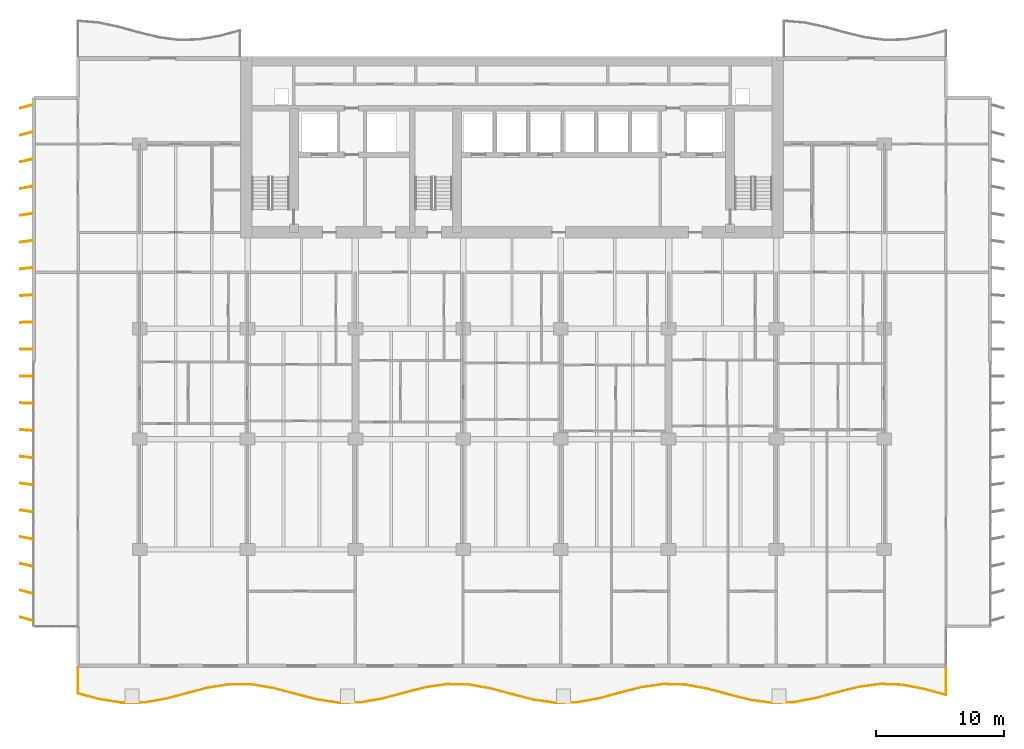
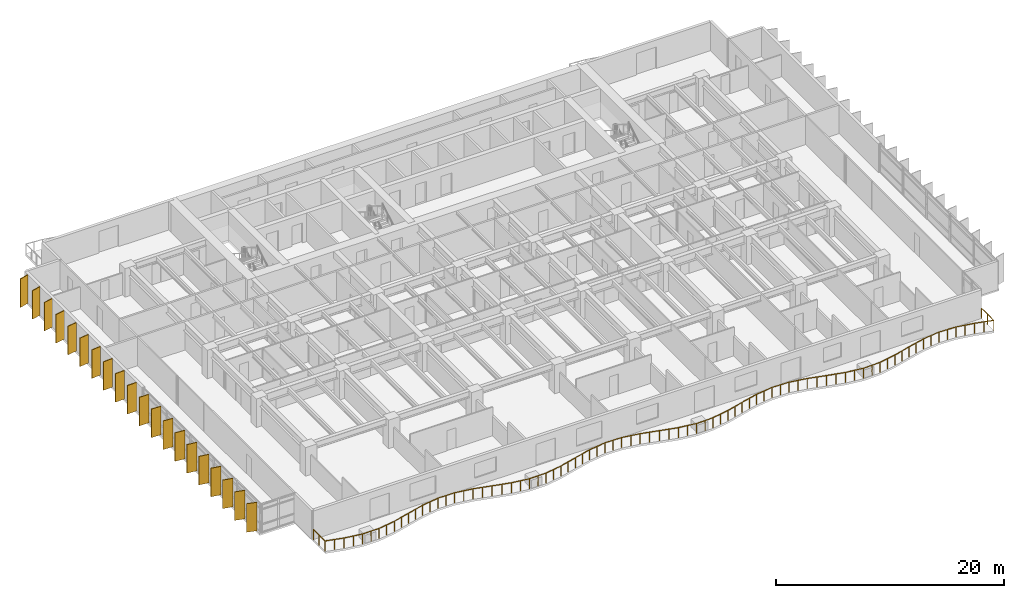
# One storey, part 14 of 17: 20 shading devices, 1 railing.
"""IFC4 building model written with IfcOpenShell, lengths in metres."""

from ifc_helpers import new_model, si_unit, direction, frame, origin, origin_2d, place, context, subcontext, project, spatial, rectangle, circle, extrude, material, material_profile, profile_set, type_object, element, save


model = new_model("IFC4")

# Units and contexts
model_context = context("Model", 3, precision=1e-05, world=origin(), true_north=direction((0.0, 1.0)))
body_context = subcontext(model_context, "Body", "Model", "MODEL_VIEW")
ifc_project = project(units=[si_unit("LENGTHUNIT", "METRE"), si_unit("AREAUNIT", "SQUARE_METRE"), si_unit("VOLUMEUNIT", "CUBIC_METRE"), si_unit("PLANEANGLEUNIT", "RADIAN"), si_unit("MASSUNIT", "GRAM", prefix="KILO")], contexts=[model_context])

# Site, building, storey
site_placement = place(None, origin())
site = spatial("IfcSite", under=ifc_project, at=site_placement, CompositionType="ELEMENT")
building_placement = place(site_placement, origin())
building = spatial("IfcBuilding", under=site, at=building_placement, Name="Caelmar Bay Residences", CompositionType="ELEMENT")
storey_placement = place(building_placement, frame((0.0, 0.0, 63.0)))
storey = spatial("IfcBuildingStorey", under=building, at=storey_placement, Name="L16", CompositionType="ELEMENT", Elevation=63.0)

# Railing
ifc_material_1 = material(Name="Anodised bronze handrail with laminated hurricane glass infill", Category="glass")
railing_type = type_object("IfcRailingType", Name="RL-BAL-1100", PredefinedType="BALUSTRADE", material=ifc_material_1)
railing_placement = place(storey_placement, frame((5.10009765625, 3.0, 0.0)))
element("IfcRailing", 1, at=railing_placement, inside=storey, type_object=railing_type, Name="L16 south Balcony Balustrade", PredefinedType="BALUSTRADE", context=body_context, shape_type="SweptSolid", body=[
    extrude(circle(Radius=0.02392578125, at=origin_2d()), frame((0.0, 0.0, 1.076171875), z_axis=(0.0, -1.0, 0.0), x_axis=(1.0, 0.0, 0.0)), (0.0, 0.0, 1.0), 2.02001953125),
    extrude(circle(Radius=0.02392578125, at=origin_2d()), frame((0.0, -2.02001953125, 1.076171875), z_axis=(0.9673004227, -0.253633381566, 0.0), x_axis=(0.253633381566, 0.9673004227, 0.0)), (0.0, 0.0, 1.0), 1.7470703125),
    extrude(circle(Radius=0.02392578125, at=origin_2d()), frame((1.68994140625, -2.463134765625, 1.076171875), z_axis=(0.987296031473, -0.158891617894, 0.0), x_axis=(0.158891617894, 0.987296031473, 0.0)), (0.0, 0.0, 1.0), 1.711669921875),
    extrude(circle(Radius=0.02392578125, at=origin_2d()), frame((3.3798828125, -2.735107421875, 1.076171875), z_axis=(0.999996618965, 0.002600395715, 0.0), x_axis=(-0.002600395715, 0.999996618965, 0.0)), (0.0, 0.0, 1.0), 1.68994140625),
    extrude(circle(Radius=0.02392578125, at=origin_2d()), frame((5.06982421875, -2.730712890625, 1.076171875), z_axis=(0.986643147145, 0.162896593556, 0.0), x_axis=(-0.162896593556, 0.986643147145, 0.0)), (0.0, 0.0, 1.0), 1.713134765625),
    extrude(circle(Radius=0.02392578125, at=origin_2d()), frame((6.760009765625, -2.45166015625, 1.076171875), z_axis=(0.966956816591, 0.254940218185, 0.0), x_axis=(-0.254940218185, 0.966956816591, 0.0)), (0.0, 0.0, 1.0), 1.747802734375),
    extrude(circle(Radius=0.02392578125, at=origin_2d()), frame((8.449951171875, -2.006103515625, 1.076171875), z_axis=(0.967676628528, 0.252194255687, 0.0), x_axis=(-0.252194255687, 0.967676628528, 0.0)), (0.0, 0.0, 1.0), 1.746337890625),
    extrude(circle(Radius=0.02392578125, at=origin_2d()), frame((10.139892578125, -1.565673828125, 1.076171875), z_axis=(0.9879370861, 0.154855784227, 0.0), x_axis=(-0.154855784227, 0.9879370861, 0.0)), (0.0, 0.0, 1.0), 1.710693359375),
    extrude(circle(Radius=0.02392578125, at=origin_2d()), frame((11.829833984375, -1.30078125, 1.076171875), z_axis=(0.999969580712, -0.007799849395, 0.0), x_axis=(0.007799849395, 0.999969580712, 0.0)), (0.0, 0.0, 1.0), 1.690185546875),
    extrude(circle(Radius=0.02392578125, at=origin_2d()), frame((13.52001953125, -1.31396484375, 1.076171875), z_axis=(0.985990618152, -0.166800782123, 0.0), x_axis=(0.166800782123, 0.985990618152, 0.0)), (0.0, 0.0, 1.0), 1.7138671875),
    extrude(circle(Radius=0.02392578125, at=origin_2d()), frame((15.2099609375, -1.599853515625, 1.076171875), z_axis=(0.966577095615, -0.256376126488, 0.0), x_axis=(0.256376126488, 0.966577095615, 0.0)), (0.0, 0.0, 1.0), 1.748291015625),
    extrude(circle(Radius=0.02392578125, at=origin_2d()), frame((16.89990234375, -2.048095703125, 1.076171875), z_axis=(0.968118847571, -0.250491311182, 0.0), x_axis=(0.250491311182, 0.968118847571, 0.0)), (0.0, 0.0, 1.0), 1.74560546875),
    extrude(circle(Radius=0.02392578125, at=origin_2d()), frame((18.58984375, -2.4853515625, 1.076171875), z_axis=(0.988583716221, -0.15067261205, 0.0), x_axis=(0.15067261205, 0.988583716221, 0.0)), (0.0, 0.0, 1.0), 1.70947265625),
    extrude(circle(Radius=0.02392578125, at=origin_2d()), frame((20.27978515625, -2.742919921875, 1.076171875), z_axis=(0.999917375751, 0.012854636204, 0.0), x_axis=(-0.012854636204, 0.999917375751, 0.0)), (0.0, 0.0, 1.0), 1.6904296875),
    extrude(circle(Radius=0.02392578125, at=origin_2d()), frame((21.969970703125, -2.72119140625, 1.076171875), z_axis=(0.985327496445, 0.17067432364, 0.0), x_axis=(-0.17067432364, 0.985327496445, 0.0)), (0.0, 0.0, 1.0), 1.715087890625),
    extrude(circle(Radius=0.02392578125, at=origin_2d()), frame((23.659912109375, -2.428466796875, 1.076171875), z_axis=(0.966230305808, 0.257680026657, 0.0), x_axis=(-0.257680026657, 0.966230305808, 0.0)), (0.0, 0.0, 1.0), 1.7490234375),
    extrude(circle(Radius=0.02392578125, at=origin_2d()), frame((25.349853515625, -1.977783203125, 1.076171875), z_axis=(0.968558468622, 0.248786038314, 0.0), x_axis=(-0.248786038314, 0.968558468622, 0.0)), (0.0, 0.0, 1.0), 1.744873046875),
    extrude(circle(Radius=0.02392578125, at=origin_2d()), frame((27.039794921875, -1.543701171875, 1.076171875), z_axis=(0.989216500601, 0.146460625901, 0.0), x_axis=(-0.146460625901, 0.989216500601, 0.0)), (0.0, 0.0, 1.0), 1.70849609375),
    extrude(circle(Radius=0.02392578125, at=origin_2d()), frame((28.72998046875, -1.29345703125, 1.076171875), z_axis=(0.999836987602, -0.018055420897, 0.0), x_axis=(0.018055420897, 0.999836987602, 0.0)), (0.0, 0.0, 1.0), 1.690185546875),
    extrude(circle(Radius=0.02392578125, at=origin_2d()), frame((30.419921875, -1.323974609375, 1.076171875), z_axis=(0.984674527906, -0.174402047271, 0.0), x_axis=(0.174402047271, 0.984674527906, 0.0)), (0.0, 0.0, 1.0), 1.71630859375),
    extrude(circle(Radius=0.02392578125, at=origin_2d()), frame((32.10986328125, -1.623291015625, 1.076171875), z_axis=(0.965951788185, -0.258722134541, 0.0), x_axis=(0.258722134541, 0.965951788185, 0.0)), (0.0, 0.0, 1.0), 1.74951171875),
    extrude(circle(Radius=0.02392578125, at=origin_2d()), frame((33.7998046875, -2.075927734375, 1.076171875), z_axis=(0.968970509617, -0.247176357068, 0.0), x_axis=(0.247176357068, 0.968970509617, 0.0)), (0.0, 0.0, 1.0), 1.744384765625),
    extrude(circle(Radius=0.02392578125, at=origin_2d()), frame((35.489990234375, -2.507080078125, 1.076171875), z_axis=(0.989826141841, -0.142282145497, 0.0), x_axis=(0.142282145497, 0.989826141841, 0.0)), (0.0, 0.0, 1.0), 1.707275390625),
    extrude(circle(Radius=0.02392578125, at=origin_2d()), frame((37.179931640625, -2.75, 1.076171875), z_axis=(0.999729615122, 0.02325288472, 0.0), x_axis=(-0.02325288472, 0.999729615122, 0.0)), (0.0, 0.0, 1.0), 1.6904296875),
    extrude(circle(Radius=0.02392578125, at=origin_2d()), frame((38.869873046875, -2.710693359375, 1.076171875), z_axis=(0.984008359062, 0.178122287475, 0.0), x_axis=(-0.178122287475, 0.984008359062, 0.0)), (0.0, 0.0, 1.0), 1.71728515625),
    extrude(circle(Radius=0.02392578125, at=origin_2d()), frame((40.559814453125, -2.40478515625, 1.076171875), z_axis=(0.965646726702, 0.259858421471, 0.0), x_axis=(-0.259858421471, 0.965646726702, 0.0)), (0.0, 0.0, 1.0), 1.750244140625),
    extrude(circle(Radius=0.02392578125, at=origin_2d()), frame((42.25, -1.949951171875, 1.076171875), z_axis=(0.969429869882, 0.24536855418, 0.0), x_axis=(-0.24536855418, 0.969429869882, 0.0)), (0.0, 0.0, 1.0), 1.7431640625),
    extrude(circle(Radius=0.02392578125, at=origin_2d()), frame((43.93994140625, -1.522216796875, 1.076171875), z_axis=(0.990460834972, 0.13779453685, 0.0), x_axis=(-0.13779453685, 0.990460834972, 0.0)), (0.0, 0.0, 1.0), 1.706298828125),
    extrude(circle(Radius=0.02392578125, at=origin_2d()), frame((45.6298828125, -1.287109375, 1.076171875), z_axis=(0.999603432028, -0.028159877094, 0.0), x_axis=(0.028159877094, 0.999603432028, 0.0)), (0.0, 0.0, 1.0), 1.690673828125),
    extrude(circle(Radius=0.02392578125, at=origin_2d()), frame((47.31982421875, -1.334716796875, 1.076171875), z_axis=(0.98330836722, -0.181946846513, 0.0), x_axis=(0.181946846513, 0.98330836722, 0.0)), (0.0, 0.0, 1.0), 1.718994140625),
    extrude(circle(Radius=0.02392578125, at=origin_2d()), frame((49.010009765625, -1.6474609375, 1.076171875), z_axis=(0.965391869343, -0.260803639941, 0.0), x_axis=(0.260803639941, 0.965391869343, 0.0)), (0.0, 0.0, 1.0), 1.75048828125),
    extrude(circle(Radius=0.02392578125, at=origin_2d()), frame((50.699951171875, -2.10400390625, 1.076171875), z_axis=(0.969927816453, -0.243392750243, 0.0), x_axis=(0.243392750243, 0.969927816453, 0.0)), (0.0, 0.0, 1.0), 1.742431640625),
    extrude(circle(Radius=0.02392578125, at=origin_2d()), frame((52.389892578125, -2.528076171875, 1.076171875), z_axis=(0.991038076884, -0.133579677222, 0.0), x_axis=(0.133579677222, 0.991038076884, 0.0)), (0.0, 0.0, 1.0), 1.705322265625),
    extrude(circle(Radius=0.02392578125, at=origin_2d()), frame((54.079833984375, -2.755859375, 1.076171875), z_axis=(0.999438962736, 0.03349268227, 0.0), x_axis=(-0.03349268227, 0.999438962736, 0.0)), (0.0, 0.0, 1.0), 1.691162109375),
    extrude(circle(Radius=0.02392578125, at=origin_2d()), frame((55.77001953125, -2.69921875, 1.076171875), z_axis=(0.982662629756, 0.185402686284, 0.0), x_axis=(-0.185402686284, 0.982662629756, 0.0)), (0.0, 0.0, 1.0), 1.7197265625),
    extrude(circle(Radius=0.02392578125, at=origin_2d()), frame((57.4599609375, -2.38037109375, 1.076171875), z_axis=(0.965145700367, 0.261713157987, 0.0), x_axis=(-0.261713157987, 0.965145700367, 0.0)), (0.0, 0.0, 1.0), 1.7509765625),
    extrude(circle(Radius=0.02392578125, at=origin_2d()), frame((59.14990234375, -1.922119140625, 1.076171875), z_axis=(0.970422239668, 0.241413911689, 0.0), x_axis=(-0.241413911689, 0.970422239668, 0.0)), (0.0, 0.0, 1.0), 1.741455078125),
    extrude(circle(Radius=0.02392578125, at=origin_2d()), frame((60.83984375, -1.501708984375, 1.076171875), z_axis=(0.9916163801, 0.129216696742, 0.0), x_axis=(-0.129216696742, 0.9916163801, 0.0)), (0.0, 0.0, 1.0), 1.704345703125),
    extrude(circle(Radius=0.02392578125, at=origin_2d()), frame((62.52978515625, -1.281494140625, 1.076171875), z_axis=(0.999257118215, -0.038538444397, 0.0), x_axis=(0.038538444397, 0.999257118215, 0.0)), (0.0, 0.0, 1.0), 1.69140625),
    extrude(circle(Radius=0.02392578125, at=origin_2d()), frame((64.219970703125, -1.3466796875, 1.076171875), z_axis=(0.981957846028, -0.189099943478, 0.0), x_axis=(0.189099943478, 0.981957846028, 0.0)), (0.0, 0.0, 1.0), 1.720947265625),
    extrude(circle(Radius=0.02392578125, at=origin_2d()), frame((65.909912109375, -1.672119140625, 1.076171875), z_axis=(0.964934116904, -0.262492190426, 0.0), x_axis=(0.262492190426, 0.964934116904, 0.0)), (0.0, 0.0, 1.0), 1.75146484375),
    extrude(circle(Radius=0.02392578125, at=origin_2d()), frame((67.599853515625, -2.1318359375, 1.076171875), z_axis=(0.0, 1.0, 0.0), x_axis=(-1.0, 0.0, 0.0)), (0.0, 0.0, 1.0), 2.1318359375),
    extrude(circle(Radius=0.02099609375, at=origin_2d()), origin(), (0.0, 0.0, 1.0), 1.052001953125),
    extrude(circle(Radius=0.02099609375, at=origin_2d()), frame((0.0, -1.010009765625, 0.0)), (0.0, 0.0, 1.0), 1.052001953125),
    extrude(circle(Radius=0.02099609375, at=origin_2d()), frame((0.0, -2.02001953125, 0.0)), (0.0, 0.0, 1.0), 1.052001953125),
    extrude(circle(Radius=0.02099609375, at=origin_2d()), frame((0.844970703125, -2.24169921875, 0.0)), (0.0, 0.0, 1.0), 1.052001953125),
    extrude(circle(Radius=0.02099609375, at=origin_2d()), frame((1.68994140625, -2.463134765625, 0.0)), (0.0, 0.0, 1.0), 1.052001953125),
    extrude(circle(Radius=0.02099609375, at=origin_2d()), frame((2.534912109375, -2.59912109375, 0.0)), (0.0, 0.0, 1.0), 1.052001953125),
    extrude(circle(Radius=0.02099609375, at=origin_2d()), frame((3.3798828125, -2.735107421875, 0.0)), (0.0, 0.0, 1.0), 1.052001953125),
    extrude(circle(Radius=0.02099609375, at=origin_2d()), frame((4.224853515625, -2.73291015625, 0.0)), (0.0, 0.0, 1.0), 1.052001953125),
    extrude(circle(Radius=0.02099609375, at=origin_2d()), frame((5.06982421875, -2.730712890625, 0.0)), (0.0, 0.0, 1.0), 1.052001953125),
    extrude(circle(Radius=0.02099609375, at=origin_2d()), frame((5.9150390625, -2.59130859375, 0.0)), (0.0, 0.0, 1.0), 1.052001953125),
    extrude(circle(Radius=0.02099609375, at=origin_2d()), frame((6.760009765625, -2.45166015625, 0.0)), (0.0, 0.0, 1.0), 1.052001953125),
    extrude(circle(Radius=0.02099609375, at=origin_2d()), frame((7.60498046875, -2.22900390625, 0.0)), (0.0, 0.0, 1.0), 1.052001953125),
    extrude(circle(Radius=0.02099609375, at=origin_2d()), frame((8.449951171875, -2.006103515625, 0.0)), (0.0, 0.0, 1.0), 1.052001953125),
    extrude(circle(Radius=0.02099609375, at=origin_2d()), frame((9.294921875, -1.785888671875, 0.0)), (0.0, 0.0, 1.0), 1.052001953125),
    extrude(circle(Radius=0.02099609375, at=origin_2d()), frame((10.139892578125, -1.565673828125, 0.0)), (0.0, 0.0, 1.0), 1.052001953125),
    extrude(circle(Radius=0.02099609375, at=origin_2d()), frame((10.98486328125, -1.43310546875, 0.0)), (0.0, 0.0, 1.0), 1.052001953125),
    extrude(circle(Radius=0.02099609375, at=origin_2d()), frame((11.829833984375, -1.30078125, 0.0)), (0.0, 0.0, 1.0), 1.052001953125),
    extrude(circle(Radius=0.02099609375, at=origin_2d()), frame((12.6748046875, -1.307373046875, 0.0)), (0.0, 0.0, 1.0), 1.052001953125),
    extrude(circle(Radius=0.02099609375, at=origin_2d()), frame((13.52001953125, -1.31396484375, 0.0)), (0.0, 0.0, 1.0), 1.052001953125),
    extrude(circle(Radius=0.02099609375, at=origin_2d()), frame((14.364990234375, -1.45703125, 0.0)), (0.0, 0.0, 1.0), 1.052001953125),
    extrude(circle(Radius=0.02099609375, at=origin_2d()), frame((15.2099609375, -1.599853515625, 0.0)), (0.0, 0.0, 1.0), 1.052001953125),
    extrude(circle(Radius=0.02099609375, at=origin_2d()), frame((16.054931640625, -1.823974609375, 0.0)), (0.0, 0.0, 1.0), 1.052001953125),
    extrude(circle(Radius=0.02099609375, at=origin_2d()), frame((16.89990234375, -2.048095703125, 0.0)), (0.0, 0.0, 1.0), 1.052001953125),
    extrude(circle(Radius=0.02099609375, at=origin_2d()), frame((17.744873046875, -2.2666015625, 0.0)), (0.0, 0.0, 1.0), 1.052001953125),
    extrude(circle(Radius=0.02099609375, at=origin_2d()), frame((18.58984375, -2.4853515625, 0.0)), (0.0, 0.0, 1.0), 1.052001953125),
    extrude(circle(Radius=0.02099609375, at=origin_2d()), frame((19.434814453125, -2.6142578125, 0.0)), (0.0, 0.0, 1.0), 1.052001953125),
    extrude(circle(Radius=0.02099609375, at=origin_2d()), frame((20.27978515625, -2.742919921875, 0.0)), (0.0, 0.0, 1.0), 1.052001953125),
    extrude(circle(Radius=0.02099609375, at=origin_2d()), frame((21.125, -2.73193359375, 0.0)), (0.0, 0.0, 1.0), 1.052001953125),
    extrude(circle(Radius=0.02099609375, at=origin_2d()), frame((21.969970703125, -2.72119140625, 0.0)), (0.0, 0.0, 1.0), 1.052001953125),
    extrude(circle(Radius=0.02099609375, at=origin_2d()), frame((22.81494140625, -2.57470703125, 0.0)), (0.0, 0.0, 1.0), 1.052001953125),
    extrude(circle(Radius=0.02099609375, at=origin_2d()), frame((23.659912109375, -2.428466796875, 0.0)), (0.0, 0.0, 1.0), 1.052001953125),
    extrude(circle(Radius=0.02099609375, at=origin_2d()), frame((24.5048828125, -2.203125, 0.0)), (0.0, 0.0, 1.0), 1.052001953125),
    extrude(circle(Radius=0.02099609375, at=origin_2d()), frame((25.349853515625, -1.977783203125, 0.0)), (0.0, 0.0, 1.0), 1.052001953125),
    extrude(circle(Radius=0.02099609375, at=origin_2d()), frame((26.19482421875, -1.7607421875, 0.0)), (0.0, 0.0, 1.0), 1.052001953125),
    extrude(circle(Radius=0.02099609375, at=origin_2d()), frame((27.039794921875, -1.543701171875, 0.0)), (0.0, 0.0, 1.0), 1.052001953125),
    extrude(circle(Radius=0.02099609375, at=origin_2d()), frame((27.884765625, -1.41845703125, 0.0)), (0.0, 0.0, 1.0), 1.052001953125),
    extrude(circle(Radius=0.02099609375, at=origin_2d()), frame((28.72998046875, -1.29345703125, 0.0)), (0.0, 0.0, 1.0), 1.052001953125),
    extrude(circle(Radius=0.02099609375, at=origin_2d()), frame((29.574951171875, -1.30859375, 0.0)), (0.0, 0.0, 1.0), 1.052001953125),
    extrude(circle(Radius=0.02099609375, at=origin_2d()), frame((30.419921875, -1.323974609375, 0.0)), (0.0, 0.0, 1.0), 1.052001953125),
    extrude(circle(Radius=0.02099609375, at=origin_2d()), frame((31.264892578125, -1.4736328125, 0.0)), (0.0, 0.0, 1.0), 1.052001953125),
    extrude(circle(Radius=0.02099609375, at=origin_2d()), frame((32.10986328125, -1.623291015625, 0.0)), (0.0, 0.0, 1.0), 1.052001953125),
    extrude(circle(Radius=0.02099609375, at=origin_2d()), frame((32.954833984375, -1.849609375, 0.0)), (0.0, 0.0, 1.0), 1.052001953125),
    extrude(circle(Radius=0.02099609375, at=origin_2d()), frame((33.7998046875, -2.075927734375, 0.0)), (0.0, 0.0, 1.0), 1.052001953125),
    extrude(circle(Radius=0.02099609375, at=origin_2d()), frame((34.64501953125, -2.29150390625, 0.0)), (0.0, 0.0, 1.0), 1.052001953125),
    extrude(circle(Radius=0.02099609375, at=origin_2d()), frame((35.489990234375, -2.507080078125, 0.0)), (0.0, 0.0, 1.0), 1.052001953125),
    extrude(circle(Radius=0.02099609375, at=origin_2d()), frame((36.3349609375, -2.62841796875, 0.0)), (0.0, 0.0, 1.0), 1.052001953125),
    extrude(circle(Radius=0.02099609375, at=origin_2d()), frame((37.179931640625, -2.75, 0.0)), (0.0, 0.0, 1.0), 1.052001953125),
    extrude(circle(Radius=0.02099609375, at=origin_2d()), frame((38.02490234375, -2.73046875, 0.0)), (0.0, 0.0, 1.0), 1.052001953125),
    extrude(circle(Radius=0.02099609375, at=origin_2d()), frame((38.869873046875, -2.710693359375, 0.0)), (0.0, 0.0, 1.0), 1.052001953125),
    extrude(circle(Radius=0.02099609375, at=origin_2d()), frame((39.71484375, -2.5576171875, 0.0)), (0.0, 0.0, 1.0), 1.052001953125),
    extrude(circle(Radius=0.02099609375, at=origin_2d()), frame((40.559814453125, -2.40478515625, 0.0)), (0.0, 0.0, 1.0), 1.052001953125),
    extrude(circle(Radius=0.02099609375, at=origin_2d()), frame((41.40478515625, -2.17724609375, 0.0)), (0.0, 0.0, 1.0), 1.052001953125),
    extrude(circle(Radius=0.02099609375, at=origin_2d()), frame((42.25, -1.949951171875, 0.0)), (0.0, 0.0, 1.0), 1.052001953125),
    extrude(circle(Radius=0.02099609375, at=origin_2d()), frame((43.094970703125, -1.736083984375, 0.0)), (0.0, 0.0, 1.0), 1.052001953125),
    extrude(circle(Radius=0.02099609375, at=origin_2d()), frame((43.93994140625, -1.522216796875, 0.0)), (0.0, 0.0, 1.0), 1.052001953125),
    extrude(circle(Radius=0.02099609375, at=origin_2d()), frame((44.784912109375, -1.40478515625, 0.0)), (0.0, 0.0, 1.0), 1.052001953125),
    extrude(circle(Radius=0.02099609375, at=origin_2d()), frame((45.6298828125, -1.287109375, 0.0)), (0.0, 0.0, 1.0), 1.052001953125),
    extrude(circle(Radius=0.02099609375, at=origin_2d()), frame((46.474853515625, -1.31103515625, 0.0)), (0.0, 0.0, 1.0), 1.052001953125),
    extrude(circle(Radius=0.02099609375, at=origin_2d()), frame((47.31982421875, -1.334716796875, 0.0)), (0.0, 0.0, 1.0), 1.052001953125),
    extrude(circle(Radius=0.02099609375, at=origin_2d()), frame((48.1650390625, -1.4912109375, 0.0)), (0.0, 0.0, 1.0), 1.052001953125),
    extrude(circle(Radius=0.02099609375, at=origin_2d()), frame((49.010009765625, -1.6474609375, 0.0)), (0.0, 0.0, 1.0), 1.052001953125),
    extrude(circle(Radius=0.02099609375, at=origin_2d()), frame((49.85498046875, -1.875732421875, 0.0)), (0.0, 0.0, 1.0), 1.052001953125),
    extrude(circle(Radius=0.02099609375, at=origin_2d()), frame((50.699951171875, -2.10400390625, 0.0)), (0.0, 0.0, 1.0), 1.052001953125),
    extrude(circle(Radius=0.02099609375, at=origin_2d()), frame((51.544921875, -2.31591796875, 0.0)), (0.0, 0.0, 1.0), 1.052001953125),
    extrude(circle(Radius=0.02099609375, at=origin_2d()), frame((52.389892578125, -2.528076171875, 0.0)), (0.0, 0.0, 1.0), 1.052001953125),
    extrude(circle(Radius=0.02099609375, at=origin_2d()), frame((53.23486328125, -2.64208984375, 0.0)), (0.0, 0.0, 1.0), 1.052001953125),
    extrude(circle(Radius=0.02099609375, at=origin_2d()), frame((54.079833984375, -2.755859375, 0.0)), (0.0, 0.0, 1.0), 1.052001953125),
    extrude(circle(Radius=0.02099609375, at=origin_2d()), frame((54.9248046875, -2.7275390625, 0.0)), (0.0, 0.0, 1.0), 1.052001953125),
    extrude(circle(Radius=0.02099609375, at=origin_2d()), frame((55.77001953125, -2.69921875, 0.0)), (0.0, 0.0, 1.0), 1.052001953125),
    extrude(circle(Radius=0.02099609375, at=origin_2d()), frame((56.614990234375, -2.539794921875, 0.0)), (0.0, 0.0, 1.0), 1.052001953125),
    extrude(circle(Radius=0.02099609375, at=origin_2d()), frame((57.4599609375, -2.38037109375, 0.0)), (0.0, 0.0, 1.0), 1.052001953125),
    extrude(circle(Radius=0.02099609375, at=origin_2d()), frame((58.304931640625, -2.1513671875, 0.0)), (0.0, 0.0, 1.0), 1.052001953125),
    extrude(circle(Radius=0.02099609375, at=origin_2d()), frame((59.14990234375, -1.922119140625, 0.0)), (0.0, 0.0, 1.0), 1.052001953125),
    extrude(circle(Radius=0.02099609375, at=origin_2d()), frame((59.994873046875, -1.7119140625, 0.0)), (0.0, 0.0, 1.0), 1.052001953125),
    extrude(circle(Radius=0.02099609375, at=origin_2d()), frame((60.83984375, -1.501708984375, 0.0)), (0.0, 0.0, 1.0), 1.052001953125),
    extrude(circle(Radius=0.02099609375, at=origin_2d()), frame((61.684814453125, -1.3916015625, 0.0)), (0.0, 0.0, 1.0), 1.052001953125),
    extrude(circle(Radius=0.02099609375, at=origin_2d()), frame((62.52978515625, -1.281494140625, 0.0)), (0.0, 0.0, 1.0), 1.052001953125),
    extrude(circle(Radius=0.02099609375, at=origin_2d()), frame((63.375, -1.31396484375, 0.0)), (0.0, 0.0, 1.0), 1.052001953125),
    extrude(circle(Radius=0.02099609375, at=origin_2d()), frame((64.219970703125, -1.3466796875, 0.0)), (0.0, 0.0, 1.0), 1.052001953125),
    extrude(circle(Radius=0.02099609375, at=origin_2d()), frame((65.06494140625, -1.50927734375, 0.0)), (0.0, 0.0, 1.0), 1.052001953125),
    extrude(circle(Radius=0.02099609375, at=origin_2d()), frame((65.909912109375, -1.672119140625, 0.0)), (0.0, 0.0, 1.0), 1.052001953125),
    extrude(circle(Radius=0.02099609375, at=origin_2d()), frame((66.7548828125, -1.90185546875, 0.0)), (0.0, 0.0, 1.0), 1.052001953125),
    extrude(circle(Radius=0.02099609375, at=origin_2d()), frame((67.599853515625, -2.1318359375, 0.0)), (0.0, 0.0, 1.0), 1.052001953125),
    extrude(circle(Radius=0.02099609375, at=origin_2d()), frame((67.599853515625, -1.06591796875, 0.0)), (0.0, 0.0, 1.0), 1.052001953125),
    extrude(circle(Radius=0.02099609375, at=origin_2d()), frame((67.599853515625, 0.0, 0.0)), (0.0, 0.0, 1.0), 1.052001953125),
])

# Shading devices
ifc_material_2 = material(Name="Anodised architectural bronze aluminium 6063-T6", Category="aluminium")
ifc_material_profile = material_profile(ifc_material_2, rectangle(XDim=0.074951171875, YDim=0.949951171875, at=origin_2d()), Name="BRONZE-FIN-75X950")
ifc_profile_set = profile_set([ifc_material_profile], Name="Anodised architectural bronze aluminium 6063-T6")
shading_device_type = type_object("IfcShadingDeviceType", Name="SHD-FIN-950", PredefinedType="USERDEFINED", material=ifc_profile_set)
for number, where, z_axis, x_axis, name in (
    (2, (1.050048828125, 6.800048828125, 0.0), (0.0, 0.0, 1.0), (0.275637355817, 0.961261695938, 0.0), "L16 West Bronze Solar Fin 1"),
    (3, (1.050048828125, 8.89990234375, 0.0), (0.0, 0.0, 1.0), (0.247337247968, 0.968929453452, 0.0), "L16 West Bronze Solar Fin 2"),
    (4, (1.050048828125, 11.0, 0.0), (0.0, 0.0, 1.0), (0.218654200292, 0.975802408633, 0.0), "L16 West Bronze Solar Fin 3"),
    (5, (1.050048828125, 13.10009765625, 0.0), (0.0, 0.0, 1.0), (0.189952291512, 0.981793321911, 0.0), "L16 West Bronze Solar Fin 4"),
    (6, (1.050048828125, 15.199951171875, 0.0), (0.0, 0.0, 1.0), (0.160914826518, 0.986968296657, 0.0), "L16 West Bronze Solar Fin 5"),
    (7, (1.050048828125, 17.300048828125, 0.0), (0.0, 0.0, 1.0), (0.131910382711, 0.991261646052, 0.0), "L16 West Bronze Solar Fin 6"),
    (8, (1.050048828125, 19.39990234375, 0.0), (0.0, 0.0, 1.0), (0.10261892683, 0.994720742649, 0.0), "L16 West Bronze Solar Fin 7"),
    (9, (1.050048828125, 21.5, 0.0), (0.0, 0.0, 1.0), (0.073412260224, 0.997301679558, 0.0), "L16 West Bronze Solar Fin 8"),
    (10, (1.050048828125, 23.60009765625, 0.0), (0.0, 0.0, 1.0), (0.044142481788, 0.999025245578, 0.0), "L16 West Bronze Solar Fin 9"),
    (11, (1.050048828125, 25.699951171875, 0.0), (0.0, 0.0, 1.0), (0.01466024053, 0.999892532899, 0.0), "L16 West Bronze Solar Fin 10"),
    (12, (1.050048828125, 27.800048828125, 0.0), (0.0, 0.0, 1.0), (-0.01466024053, 0.999892532899, 0.0), "L16 West Bronze Solar Fin 11"),
    (13, (1.050048828125, 29.89990234375, 0.0), (0.0, 0.0, 1.0), (-0.044142481788, 0.999025245578, 0.0), "L16 West Bronze Solar Fin 12"),
    (14, (1.050048828125, 32.0, 0.0), (0.0, 0.0, 1.0), (-0.073412260224, 0.997301679558, 0.0), "L16 West Bronze Solar Fin 13"),
    (15, (1.050048828125, 34.10009765625, 0.0), (0.0, 0.0, 1.0), (-0.10261892683, 0.994720742649, 0.0), "L16 West Bronze Solar Fin 14"),
    (16, (1.050048828125, 36.199951171875, 0.0), (0.0, 0.0, 1.0), (-0.131910382711, 0.991261646052, 0.0), "L16 West Bronze Solar Fin 15"),
    (17, (1.050048828125, 38.300048828125, 0.0), (0.0, 0.0, 1.0), (-0.160914826518, 0.986968296657, 0.0), "L16 West Bronze Solar Fin 16"),
    (18, (1.050048828125, 40.39990234375, 0.0), (0.0, 0.0, 1.0), (-0.189952291512, 0.981793321911, 0.0), "L16 West Bronze Solar Fin 17"),
    (19, (1.050048828125, 42.5, 0.0), (0.0, 0.0, 1.0), (-0.218654200292, 0.975802408633, 0.0), "L16 West Bronze Solar Fin 18"),
    (20, (1.050048828125, 44.60009765625, 0.0), (0.0, 0.0, 1.0), (-0.247337247968, 0.968929453452, 0.0), "L16 West Bronze Solar Fin 19"),
    (21, (1.050048828125, 46.699951171875, 0.0), (0.0, 0.0, 1.0), (-0.275637355817, 0.961261695938, 0.0), "L16 West Bronze Solar Fin 20"),
):
    element("IfcShadingDevice", number, at=place(storey_placement, frame(where, z_axis=z_axis, x_axis=x_axis)), inside=storey, type_object=shading_device_type, Name=name, ObjectType="FIN", PredefinedType="USERDEFINED", context=body_context, shape_type="SweptSolid", body=[
        extrude(rectangle(XDim=0.074951171875, YDim=0.949951171875, at=origin_2d()), origin(), (0.0, 0.0, 1.0), 3.050048828125),
    ])

save(model, "model.ifc")
